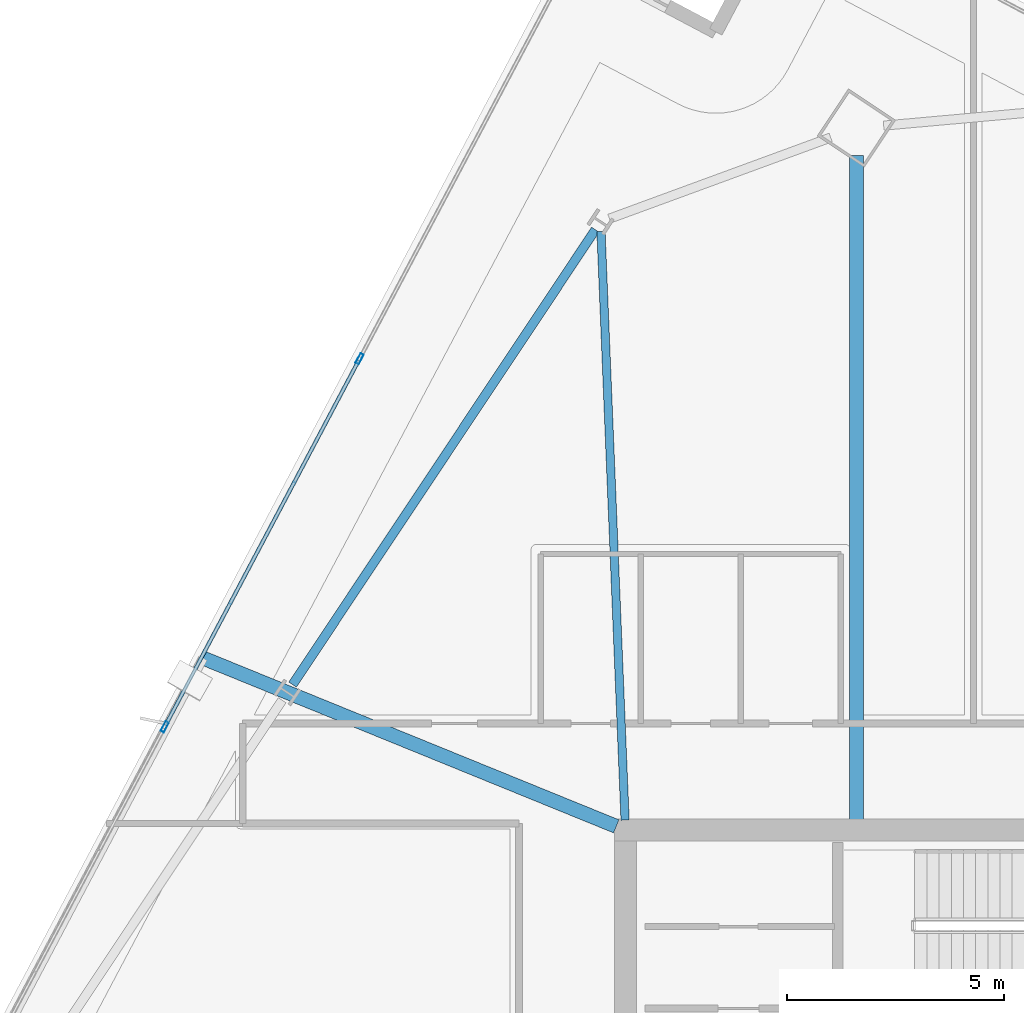
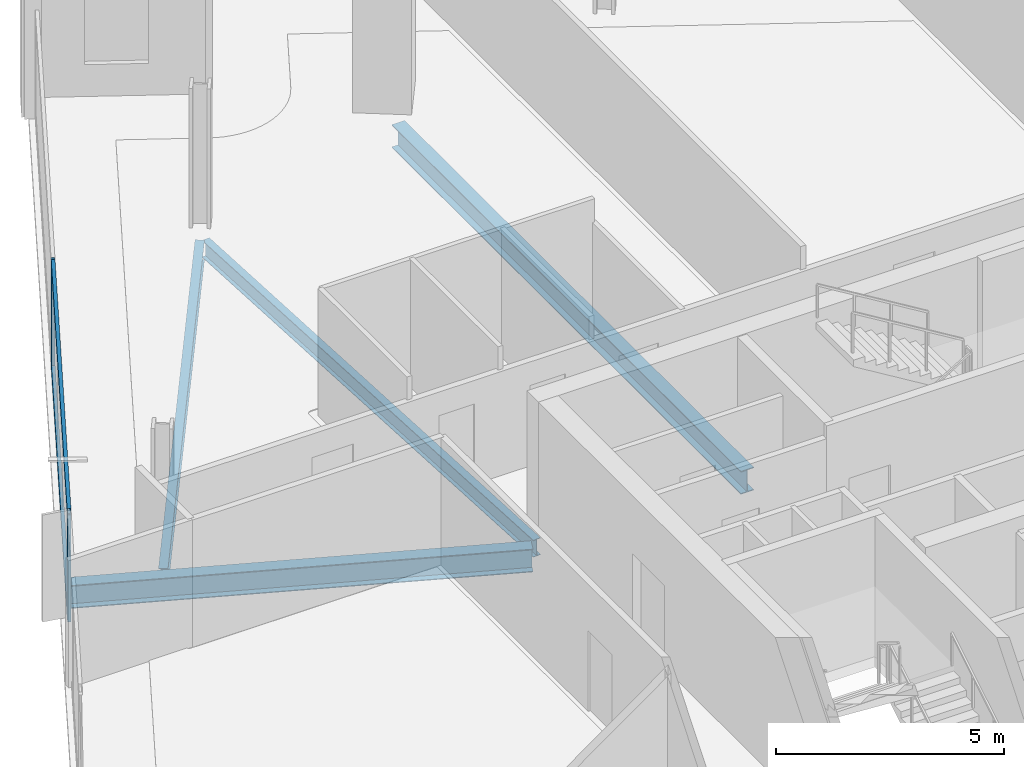
# One storey, part 14 of 28: 4 beams, 4 members, 1 element without a shape of its own.
"""IFC4 building model written with IfcOpenShell, lengths in metres."""

from ifc_helpers import new_model, si_unit, direction, frame, origin, origin_2d, place, context, subcontext, project, spatial, hollow_rectangle, i_section, extrude, material, material_profile, profile_set, type_object, element, aggregate, save


model = new_model("IFC4")

# Units and contexts
model_context = context("Model", 3, precision=1e-05, world=origin(), true_north=direction((0.0, 1.0)))
body_context = subcontext(model_context, "Body", "Model", "MODEL_VIEW")
ifc_project = project(units=[si_unit("LENGTHUNIT", "METRE"), si_unit("AREAUNIT", "SQUARE_METRE"), si_unit("VOLUMEUNIT", "CUBIC_METRE"), si_unit("PLANEANGLEUNIT", "RADIAN"), si_unit("MASSUNIT", "GRAM", prefix="KILO")], contexts=[model_context])

# Site, building, storey
site_placement = place(None, origin())
site = spatial("IfcSite", under=ifc_project, at=site_placement, CompositionType="ELEMENT")
building_placement = place(site_placement, origin())
building = spatial("IfcBuilding", under=site, at=building_placement, Name="Haldenkirk Collegiate Tower", CompositionType="ELEMENT")
storey_placement = place(building_placement, frame((0.0, 0.0, 235.949951171875)))
storey = spatial("IfcBuildingStorey", under=building, at=storey_placement, Name="L59", CompositionType="ELEMENT", Elevation=235.949951171875)

# Beams
ifc_material_1 = material(Name="Steel ASTM A992 Grade 50", Category="steel")
ifc_material_profile_1 = material_profile(ifc_material_1, i_section(OverallWidth=0.324951171875, OverallDepth=0.615966796875, WebThickness=0.013916015625, FlangeThickness=0.021484375, at=origin_2d()), Name="W24X117")
ifc_profile_set_1 = profile_set([ifc_material_profile_1], Name="Steel ASTM A992 Grade 50")
beam_type_1 = type_object("IfcBeamType", Name="BM-GIRDER-W24X117", PredefinedType="BEAM", material=ifc_profile_set_1)
beam_1_placement = place(storey_placement, frame((32.30810546875, 49.5107421875, -0.587890625), z_axis=(0.0, -1.0, 0.0), x_axis=(1.0, 0.0, 0.0)))
element("IfcBeam", 1, at=beam_1_placement, inside=storey, type_object=beam_type_1, Name="L59 primary floor girder 03", PredefinedType="BEAM", context=body_context, shape_type="SweptSolid", body=[
    extrude(i_section(OverallWidth=0.324951171875, OverallDepth=0.615966796875, WebThickness=0.013916015625, FlangeThickness=0.021484375, at=origin_2d()), origin(), (0.0, 0.0, 1.0), 15.28076171875),
])
beam_2_placement = place(storey_placement, frame((17.2890625, 37.954345703125, -0.587890625), z_axis=(0.926157043048, -0.377138080299, 0.0), x_axis=(0.377138080299, 0.926157043048, 0.0)))
element("IfcBeam", 2, at=beam_2_placement, inside=storey, type_object=beam_type_1, Name="L59 primary floor girder 12", PredefinedType="BEAM", context=body_context, shape_type="SweptSolid", body=[
    extrude(i_section(OverallWidth=0.324951171875, OverallDepth=0.615966796875, WebThickness=0.013916015625, FlangeThickness=0.021484375, at=origin_2d()), origin(), (0.0, 0.0, 1.0), 10.25537109375),
])
ifc_material_profile_2 = material_profile(ifc_material_1, i_section(OverallWidth=0.18994140625, OverallDepth=0.45703125, WebThickness=0.009033203125, FlangeThickness=0.014404296875, at=origin_2d()), Name="W18X50")
ifc_profile_set_2 = profile_set([ifc_material_profile_2], Name="Steel ASTM A992 Grade 50")
beam_type_2 = type_object("IfcBeamType", Name="BM-JOIST-W18X50", PredefinedType="JOIST", material=ifc_profile_set_2)
beam_3_placement = place(storey_placement, frame((26.4365234375, 47.76708984375, -0.508544921875), z_axis=(0.040886268065, -0.999163806932, 0.0), x_axis=(0.999163806932, 0.040886268065, 0.0)))
element("IfcBeam", 3, at=beam_3_placement, inside=storey, type_object=beam_type_2, Name="L59 composite floor joist 11", PredefinedType="JOIST", context=body_context, shape_type="SweptSolid", body=[
    extrude(i_section(OverallWidth=0.18994140625, OverallDepth=0.45703125, WebThickness=0.009033203125, FlangeThickness=0.014404296875, at=origin_2d()), origin(), (0.0, 0.0, 1.0), 13.548583984375),
])
ifc_material_profile_3 = material_profile(ifc_material_1, i_section(OverallWidth=0.2099609375, OverallDepth=0.537109375, WebThickness=0.010986328125, FlangeThickness=0.017333984375, at=origin_2d()), Name="W21X68")
ifc_profile_set_3 = profile_set([ifc_material_profile_3], Name="Steel ASTM A992 Grade 50")
beam_type_3 = type_object("IfcBeamType", Name="BM-SPANDREL-W21X68", PredefinedType="SPANDREL", material=ifc_profile_set_3)
beam_4_placement = place(storey_placement, frame((26.3076171875, 47.80322265625, -0.54833984375), z_axis=(-0.554125989098, -0.832432813028, 0.0), x_axis=(0.832432813028, -0.554125989098, 0.0)))
element("IfcBeam", 4, at=beam_4_placement, inside=storey, type_object=beam_type_3, Name="L59 perimeter spandrel beam 10", PredefinedType="SPANDREL", context=body_context, shape_type="SweptSolid", body=[
    extrude(i_section(OverallWidth=0.2099609375, OverallDepth=0.537109375, WebThickness=0.010986328125, FlangeThickness=0.017333984375, at=origin_2d()), origin(), (0.0, 0.0, 1.0), 12.56201171875),
])

# Curtain wall, members
ifc_material_2 = material(Name="Anodised architectural bronze aluminium", Category="aluminium")
curtain_wall_type = type_object("IfcCurtainWallType", Name="CW-SYS1B-CONVEX-HI", PredefinedType="USERDEFINED", material=ifc_material_2)
curtain_wall_placement = place(storey_placement, origin())
curtain_wall = element("IfcCurtainWall", 5, at=curtain_wall_placement, inside=storey, type_object=curtain_wall_type, Name="L59 Upper tower high-wind convex bronze unitised curtain wall", ObjectType="UNITISED CURTAIN WALL", PredefinedType="USERDEFINED")
ifc_material_profile_4 = material_profile(ifc_material_2, hollow_rectangle(XDim=0.0849609375, YDim=0.25, WallThickness=0.0048828125, at=origin_2d()), Name="CW-MUL-1B")
ifc_profile_set_4 = profile_set([ifc_material_profile_4], Name="Anodised architectural bronze aluminium")
member_type_1 = type_object("IfcMemberType", Name="CW-MUL-1B", PredefinedType="MULLION", material=ifc_profile_set_4)
member_1_placement = place(storey_placement, frame((16.406982421875, 36.3740234375, 0.0), z_axis=(0.0, 0.0, 1.0), x_axis=(-0.883764543584, 0.467931866304, 0.0)))
member_1 = element("IfcMember", 6, at=member_1_placement, type_object=member_type_1, Name="CW-1B mullion 3", PredefinedType="MULLION", context=body_context, shape_type="SweptSolid", body=[
    extrude(hollow_rectangle(XDim=0.0849609375, YDim=0.25, WallThickness=0.0048828125, at=origin_2d()), origin(), (0.0, 0.0, 1.0), 2.858154296875),
])
member_2_placement = place(storey_placement, frame((20.887451171875, 44.8359375, 0.0), z_axis=(0.0, 0.0, 1.0), x_axis=(-0.883764543584, 0.467931866304, 0.0)))
member_2 = element("IfcMember", 7, at=member_2_placement, type_object=member_type_1, Name="CW-1B mullion 4", PredefinedType="MULLION", context=body_context, shape_type="SweptSolid", body=[
    extrude(hollow_rectangle(XDim=0.0849609375, YDim=0.25, WallThickness=0.0048828125, at=origin_2d()), origin(), (0.0, 0.0, 1.0), 2.858154296875),
])
ifc_material_profile_5 = material_profile(ifc_material_2, hollow_rectangle(XDim=0.0849609375, YDim=0.199951171875, WallThickness=0.0048828125, at=origin_2d()), Name="CW-TRN-1B")
ifc_profile_set_5 = profile_set([ifc_material_profile_5], Name="Anodised architectural bronze aluminium")
member_type_2 = type_object("IfcMemberType", Name="CW-TRN-1B", PredefinedType="USERDEFINED", material=ifc_profile_set_5)
member_3_placement = place(storey_placement, frame((16.4267578125, 36.41162109375, 0.04248046875), z_axis=(0.467930272077, 0.883765387687, 0.0), x_axis=(-0.883765387687, 0.467930272077, 0.0)))
member_3 = element("IfcMember", 8, at=member_3_placement, type_object=member_type_2, Name="CW-1B transom 3.1", ObjectType="TRANSOM", PredefinedType="USERDEFINED", context=body_context, shape_type="SweptSolid", body=[
    extrude(hollow_rectangle(XDim=0.0849609375, YDim=0.199951171875, WallThickness=0.0048828125, at=origin_2d()), origin(), (0.0, 0.0, 1.0), 9.489990234375),
])
member_4_placement = place(storey_placement, frame((16.4267578125, 36.41162109375, 2.8154296875), z_axis=(0.467930272077, 0.883765387687, 0.0), x_axis=(-0.883765387687, 0.467930272077, 0.0)))
member_4 = element("IfcMember", 9, at=member_4_placement, type_object=member_type_2, Name="CW-1B transom 3.2", ObjectType="TRANSOM", PredefinedType="USERDEFINED", context=body_context, shape_type="SweptSolid", body=[
    extrude(hollow_rectangle(XDim=0.0849609375, YDim=0.199951171875, WallThickness=0.0048828125, at=origin_2d()), origin(), (0.0, 0.0, 1.0), 9.489990234375),
])
aggregate(curtain_wall, [member_1, member_2, member_3, member_4])

save(model, "model.ifc")
